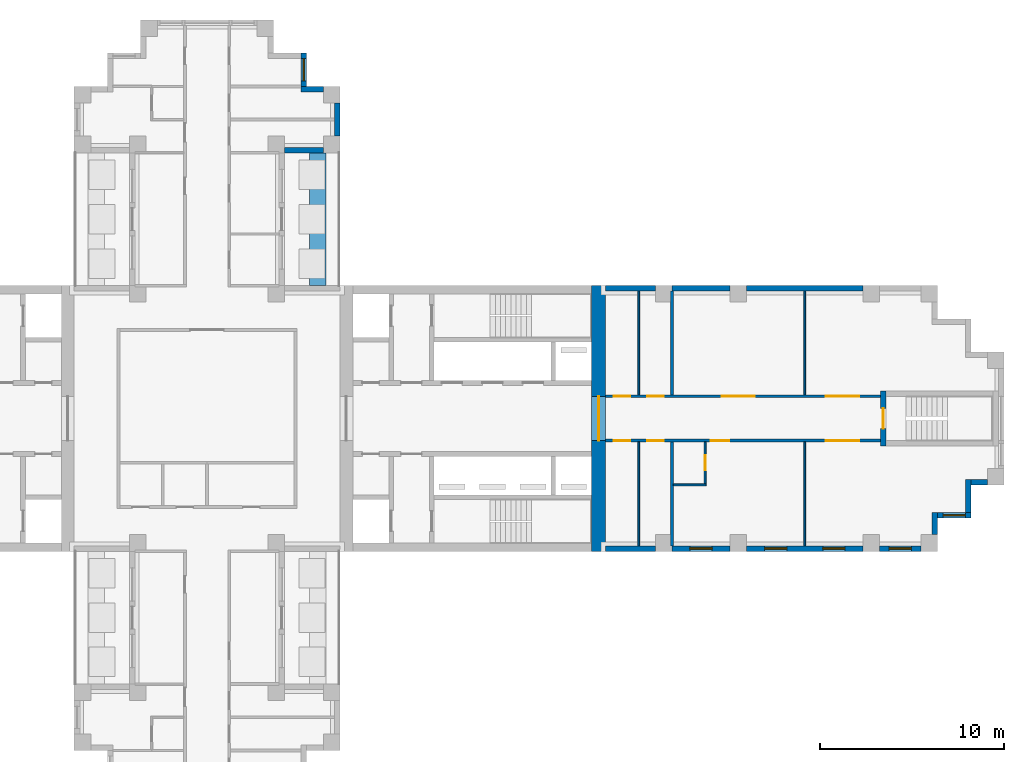
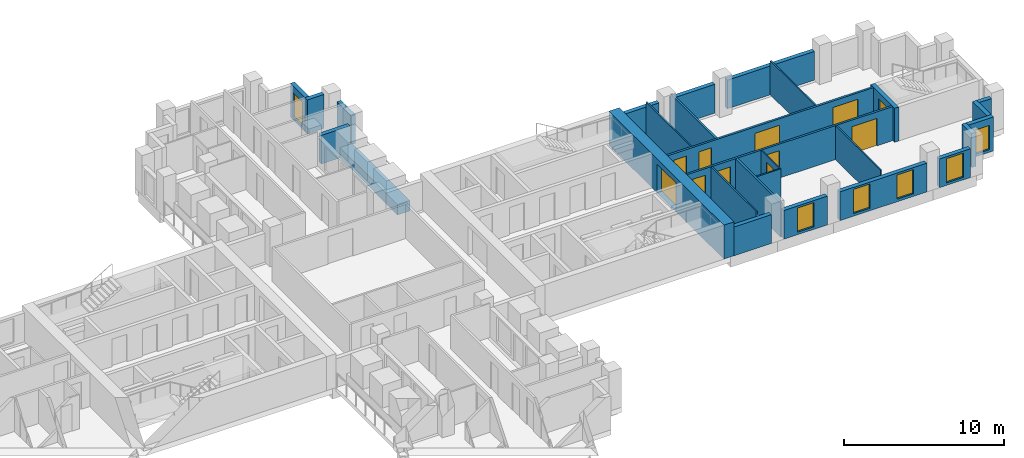
# One storey, part 8 of 11: 28 walls, 11 doors, 6 windows, 17 openings.
"""IFC4 building model written with IfcOpenShell, lengths in metres."""

from ifc_helpers import new_model, si_unit, direction, frame, frame_2d, origin, place, context, subcontext, project, spatial, rectangle, extrude, material, layer, layer_set, type_object, element, fill, save


model = new_model("IFC4")

# Units and contexts
model_context = context("Model", 3, precision=1e-05, world=origin(), true_north=direction((0.0, 1.0)))
body_context = subcontext(model_context, "Body", "Model", "MODEL_VIEW")
ifc_project = project(units=[si_unit("LENGTHUNIT", "METRE"), si_unit("AREAUNIT", "SQUARE_METRE"), si_unit("VOLUMEUNIT", "CUBIC_METRE"), si_unit("PLANEANGLEUNIT", "RADIAN"), si_unit("MASSUNIT", "GRAM", prefix="KILO")], contexts=[model_context])

# Site, building, storey
site_placement = place(None, origin())
site = spatial("IfcSite", under=ifc_project, at=site_placement, CompositionType="ELEMENT")
building_placement = place(site_placement, origin())
building = spatial("IfcBuilding", under=site, at=building_placement, Name="Fustian Cross Tower", CompositionType="ELEMENT")
storey_placement = place(building_placement, frame((0.0, 0.0, 120.300048828125)))
storey = spatial("IfcBuildingStorey", under=building, at=storey_placement, Name="L37", CompositionType="ELEMENT", Elevation=120.300048828125)

# Wall, openings, doors
ifc_material_1 = material(Name="Plasterboard on steel stud", Category="steel")
ifc_layer_1 = layer(ifc_material_1, 0.14990234375)
ifc_layer_set_1 = layer_set([ifc_layer_1], Name="Plasterboard on steel stud")
wall_type_1 = type_object("IfcWallType", Name="COMPARTMENT WALL 150 EI 60", PredefinedType="PARTITIONING", material=ifc_layer_set_1)
wall_1_placement = place(storey_placement, frame((21.60009765625, -1.199951171875, 0.0), z_axis=(0.0, 0.0, 1.0), x_axis=(1.0, 0.0, 0.0)))
wall_1 = element("IfcWall", 1, at=wall_1_placement, inside=storey, type_object=wall_type_1, Name="Partition 49", PredefinedType="PARTITIONING", context=body_context, shape_type="SweptSolid", body=[
    extrude(rectangle(XDim=14.89990234375, YDim=0.14990234375, at=frame_2d((7.449951171875, 0.0))), origin(), (0.0, 0.0, 1.0), 2.599853515625),
])
opening_1_placement = place(wall_1_placement, frame((0.449951171875, 0.0, 0.0)))
opening_1 = element("IfcOpeningElement", 2, at=opening_1_placement, cuts=wall_1, Name="Opening D18009", PredefinedType="OPENING", context=body_context, shape_type="SweptSolid", body=[
    extrude(rectangle(XDim=0.89990234375, YDim=2.10009765625, at=frame_2d((0.449951171875, 1.050048828125))), frame((0.0, 0.0849609375, 0.0), z_axis=(0.0, -1.0, 0.0), x_axis=(1.0, 0.0, 0.0)), (0.0, 0.0, 1.0), 0.169921875),
])
opening_2_placement = place(wall_1_placement, frame((2.25, 0.0, 0.0)))
opening_2 = element("IfcOpeningElement", 3, at=opening_2_placement, cuts=wall_1, Name="Opening D18010", PredefinedType="OPENING", context=body_context, shape_type="SweptSolid", body=[
    extrude(rectangle(XDim=0.89990234375, YDim=2.10009765625, at=frame_2d((0.449951171875, 1.050048828125))), frame((0.0, 0.0849609375, 0.0), z_axis=(0.0, -1.0, 0.0), x_axis=(1.0, 0.0, 0.0)), (0.0, 0.0, 1.0), 0.169921875),
])
opening_3_placement = place(wall_1_placement, frame((5.7099609375, 0.0, 0.0)))
opening_3 = element("IfcOpeningElement", 4, at=opening_3_placement, cuts=wall_1, Name="Opening D18012", PredefinedType="OPENING", context=body_context, shape_type="SweptSolid", body=[
    extrude(rectangle(XDim=1.0, YDim=2.10009765625, at=frame_2d((0.5, 1.050048828125))), frame((0.0, 0.0849609375, 0.0), z_axis=(0.0, -1.0, 0.0), x_axis=(1.0, 0.0, 0.0)), (0.0, 0.0, 1.0), 0.169921875),
])
opening_4_placement = place(wall_1_placement, frame((11.949951171875, 0.0, 0.0)))
opening_4 = element("IfcOpeningElement", 5, at=opening_4_placement, cuts=wall_1, Name="Opening D18013", PredefinedType="OPENING", context=body_context, shape_type="SweptSolid", body=[
    extrude(rectangle(XDim=1.800048828125, YDim=2.10009765625, at=frame_2d((0.89990234375, 1.050048828125))), frame((0.0, 0.0849609375, 0.0), z_axis=(0.0, -1.0, 0.0), x_axis=(1.0, 0.0, 0.0)), (0.0, 0.0, 1.0), 0.169921875),
])
ifc_material_2 = material(Name="Timber fire door set", Category="wood")
door_type_1 = type_object("IfcDoorType", Name="FIRE DOUBLE DOOR 1800 FD30S", OperationType="DOUBLE_DOOR_DOUBLE_SWING", PredefinedType="DOOR", material=ifc_material_2)
door_1_placement = place(opening_4_placement, origin())
door_1 = element("IfcDoor", 6, at=door_1_placement, inside=storey, type_object=door_type_1, Name="Door D18013", OperationType="DOUBLE_DOOR_DOUBLE_SWING", OverallHeight=2.10009765625, OverallWidth=1.800048828125, PredefinedType="DOOR", context=body_context, shape_type="SweptSolid", body=[
    extrude(rectangle(XDim=1.800048828125, YDim=2.10009765625, at=frame_2d((0.89990234375, 1.050048828125))), frame((0.0, 0.02490234375, 0.0), z_axis=(0.0, -1.0, 0.0), x_axis=(1.0, 0.0, 0.0)), (0.0, 0.0, 1.0), 0.050048828125),
])
fill(opening_4, door_1)
ifc_material_3 = material(Name="Timber fire door set", Category="wood")
door_type_2 = type_object("IfcDoorType", Name="FIRE SWING DOOR 1000 FD30S", OperationType="SINGLE_SWING_LEFT", PredefinedType="DOOR", material=ifc_material_3)
door_2_placement = place(opening_3_placement, frame((1.0, 0.0, 0.0), z_axis=(0.0, 0.0, 1.0), x_axis=(-1.0, 0.0, 0.0)))
door_2 = element("IfcDoor", 7, at=door_2_placement, inside=storey, type_object=door_type_2, Name="Door D18012", OperationType="SINGLE_SWING_RIGHT", OverallHeight=2.10009765625, OverallWidth=1.0, PredefinedType="DOOR", context=body_context, shape_type="SweptSolid", body=[
    extrude(rectangle(XDim=1.0, YDim=2.10009765625, at=frame_2d((0.5, 1.050048828125))), frame((0.0, 0.02490234375, 0.0), z_axis=(0.0, -1.0, 0.0), x_axis=(1.0, 0.0, 0.0)), (0.0, 0.0, 1.0), 0.050048828125),
])
fill(opening_3, door_2)
ifc_material_4 = material(Name="Timber fire door set", Category="wood")
door_type_3 = type_object("IfcDoorType", Name="FIRE SWING DOOR 900 FD30S", OperationType="SINGLE_SWING_LEFT", PredefinedType="DOOR", material=ifc_material_4)
door_3_placement = place(opening_1_placement, frame((0.89990234375, 0.0, 0.0), z_axis=(0.0, 0.0, 1.0), x_axis=(-1.0, 0.0, 0.0)))
door_3 = element("IfcDoor", 8, at=door_3_placement, inside=storey, type_object=door_type_3, Name="Door D18009", OperationType="SINGLE_SWING_LEFT", OverallHeight=2.10009765625, OverallWidth=0.89990234375, PredefinedType="DOOR", context=body_context, shape_type="SweptSolid", body=[
    extrude(rectangle(XDim=0.89990234375, YDim=2.10009765625, at=frame_2d((0.449951171875, 1.050048828125))), frame((0.0, 0.02490234375, 0.0), z_axis=(0.0, -1.0, 0.0), x_axis=(1.0, 0.0, 0.0)), (0.0, 0.0, 1.0), 0.050048828125),
])
fill(opening_1, door_3)
door_4_placement = place(opening_2_placement, frame((0.89990234375, 0.0, 0.0), z_axis=(0.0, 0.0, 1.0), x_axis=(-1.0, 0.0, 0.0)))
door_4 = element("IfcDoor", 9, at=door_4_placement, inside=storey, type_object=door_type_3, Name="Door D18010", OperationType="SINGLE_SWING_LEFT", OverallHeight=2.10009765625, OverallWidth=0.89990234375, PredefinedType="DOOR", context=body_context, shape_type="SweptSolid", body=[
    extrude(rectangle(XDim=0.89990234375, YDim=2.10009765625, at=frame_2d((0.449951171875, 1.050048828125))), frame((0.0, 0.02490234375, 0.0), z_axis=(0.0, -1.0, 0.0), x_axis=(1.0, 0.0, 0.0)), (0.0, 0.0, 1.0), 0.050048828125),
])
fill(opening_2, door_4)

wall_2_placement = place(storey_placement, frame((21.60009765625, 1.199951171875, 0.0), z_axis=(0.0, 0.0, 1.0), x_axis=(1.0, 0.0, 0.0)))
wall_2 = element("IfcWall", 10, at=wall_2_placement, inside=storey, type_object=wall_type_1, Name="Partition 50", PredefinedType="PARTITIONING", context=body_context, shape_type="SweptSolid", body=[
    extrude(rectangle(XDim=14.89990234375, YDim=0.14990234375, at=frame_2d((7.449951171875, 0.0))), origin(), (0.0, 0.0, 1.0), 2.599853515625),
])
opening_5_placement = place(wall_2_placement, frame((0.449951171875, 0.0, 0.0)))
opening_5 = element("IfcOpeningElement", 11, at=opening_5_placement, cuts=wall_2, Name="Opening D18005", PredefinedType="OPENING", context=body_context, shape_type="SweptSolid", body=[
    extrude(rectangle(XDim=0.89990234375, YDim=2.10009765625, at=frame_2d((0.449951171875, 1.050048828125))), frame((0.0, 0.0849609375, 0.0), z_axis=(0.0, -1.0, 0.0), x_axis=(1.0, 0.0, 0.0)), (0.0, 0.0, 1.0), 0.169921875),
])
opening_6_placement = place(wall_2_placement, frame((2.25, 0.0, 0.0)))
opening_6 = element("IfcOpeningElement", 12, at=opening_6_placement, cuts=wall_2, Name="Opening D18006", PredefinedType="OPENING", context=body_context, shape_type="SweptSolid", body=[
    extrude(rectangle(XDim=0.89990234375, YDim=2.10009765625, at=frame_2d((0.449951171875, 1.050048828125))), frame((0.0, 0.0849609375, 0.0), z_axis=(0.0, -1.0, 0.0), x_axis=(1.0, 0.0, 0.0)), (0.0, 0.0, 1.0), 0.169921875),
])
opening_7_placement = place(wall_2_placement, frame((6.300048828125, 0.0, 0.0)))
opening_7 = element("IfcOpeningElement", 13, at=opening_7_placement, cuts=wall_2, Name="Opening D18007", PredefinedType="OPENING", context=body_context, shape_type="SweptSolid", body=[
    extrude(rectangle(XDim=1.800048828125, YDim=2.10009765625, at=frame_2d((0.89990234375, 1.050048828125))), frame((0.0, 0.0849609375, 0.0), z_axis=(0.0, -1.0, 0.0), x_axis=(1.0, 0.0, 0.0)), (0.0, 0.0, 1.0), 0.169921875),
])
opening_8_placement = place(wall_2_placement, frame((11.949951171875, 0.0, 0.0)))
opening_8 = element("IfcOpeningElement", 14, at=opening_8_placement, cuts=wall_2, Name="Opening D18008", PredefinedType="OPENING", context=body_context, shape_type="SweptSolid", body=[
    extrude(rectangle(XDim=1.800048828125, YDim=2.10009765625, at=frame_2d((0.89990234375, 1.050048828125))), frame((0.0, 0.0849609375, 0.0), z_axis=(0.0, -1.0, 0.0), x_axis=(1.0, 0.0, 0.0)), (0.0, 0.0, 1.0), 0.169921875),
])
door_5_placement = place(opening_7_placement, frame((1.800048828125, 0.0, 0.0), z_axis=(0.0, 0.0, 1.0), x_axis=(-1.0, 0.0, 0.0)))
door_5 = element("IfcDoor", 15, at=door_5_placement, inside=storey, type_object=door_type_1, Name="Door D18007", OperationType="DOUBLE_DOOR_DOUBLE_SWING", OverallHeight=2.10009765625, OverallWidth=1.800048828125, PredefinedType="DOOR", context=body_context, shape_type="SweptSolid", body=[
    extrude(rectangle(XDim=1.800048828125, YDim=2.10009765625, at=frame_2d((0.89990234375, 1.050048828125))), frame((0.0, 0.02490234375, 0.0), z_axis=(0.0, -1.0, 0.0), x_axis=(1.0, 0.0, 0.0)), (0.0, 0.0, 1.0), 0.050048828125),
])
fill(opening_7, door_5)
door_6_placement = place(opening_8_placement, frame((1.800048828125, 0.0, 0.0), z_axis=(0.0, 0.0, 1.0), x_axis=(-1.0, 0.0, 0.0)))
door_6 = element("IfcDoor", 16, at=door_6_placement, inside=storey, type_object=door_type_1, Name="Door D18008", OperationType="DOUBLE_DOOR_DOUBLE_SWING", OverallHeight=2.10009765625, OverallWidth=1.800048828125, PredefinedType="DOOR", context=body_context, shape_type="SweptSolid", body=[
    extrude(rectangle(XDim=1.800048828125, YDim=2.10009765625, at=frame_2d((0.89990234375, 1.050048828125))), frame((0.0, 0.02490234375, 0.0), z_axis=(0.0, -1.0, 0.0), x_axis=(1.0, 0.0, 0.0)), (0.0, 0.0, 1.0), 0.050048828125),
])
fill(opening_8, door_6)
door_7_placement = place(opening_5_placement, origin())
door_7 = element("IfcDoor", 17, at=door_7_placement, inside=storey, type_object=door_type_3, Name="Door D18005", OperationType="SINGLE_SWING_RIGHT", OverallHeight=2.10009765625, OverallWidth=0.89990234375, PredefinedType="DOOR", context=body_context, shape_type="SweptSolid", body=[
    extrude(rectangle(XDim=0.89990234375, YDim=2.10009765625, at=frame_2d((0.449951171875, 1.050048828125))), frame((0.0, 0.02490234375, 0.0), z_axis=(0.0, -1.0, 0.0), x_axis=(1.0, 0.0, 0.0)), (0.0, 0.0, 1.0), 0.050048828125),
])
fill(opening_5, door_7)
door_8_placement = place(opening_6_placement, origin())
door_8 = element("IfcDoor", 18, at=door_8_placement, inside=storey, type_object=door_type_3, Name="Door D18006", OperationType="SINGLE_SWING_RIGHT", OverallHeight=2.10009765625, OverallWidth=0.89990234375, PredefinedType="DOOR", context=body_context, shape_type="SweptSolid", body=[
    extrude(rectangle(XDim=0.89990234375, YDim=2.10009765625, at=frame_2d((0.449951171875, 1.050048828125))), frame((0.0, 0.02490234375, 0.0), z_axis=(0.0, -1.0, 0.0), x_axis=(1.0, 0.0, 0.0)), (0.0, 0.0, 1.0), 0.050048828125),
])
fill(opening_6, door_8)

# Walls
for number, where, z_axis, x_axis, name in (
    (19, (25.199951171875, -6.89990234375, 0.0), (0.0, 0.0, 1.0), (0.0, 1.0, 0.0), "Partition 53"),
    (20, (25.199951171875, 1.27490234375, 0.0), (0.0, 0.0, 1.0), (0.0, 1.0, 0.0), "Partition 55"),
):
    element("IfcWall", number, at=place(storey_placement, frame(where, z_axis=z_axis, x_axis=x_axis)), inside=storey, type_object=wall_type_1, Name=name, PredefinedType="PARTITIONING", context=body_context, shape_type="SweptSolid", body=[
        extrude(rectangle(XDim=5.625, YDim=0.14990234375, at=frame_2d((2.8125, 0.0))), origin(), (0.0, 0.0, 1.0), 2.599853515625),
    ])

# Wall, opening, door
ifc_material_5 = material(Name="Concrete C60/75", Category="concrete")
ifc_layer_2 = layer(ifc_material_5, 0.75)
ifc_layer_set_2 = layer_set([ifc_layer_2], Name="Concrete C60/75")
wall_type_2 = type_object("IfcWallType", Name="CORE END WALL 750 C60/75", PredefinedType="SHEAR", material=ifc_layer_set_2)
wall_3_placement = place(storey_placement, frame((21.22509765625, -7.199951171875, 0.0), z_axis=(0.0, 0.0, 1.0), x_axis=(0.0, 1.0, 0.0)))
wall_3 = element("IfcWall", 21, at=wall_3_placement, inside=storey, type_object=wall_type_2, Name="Core end wall", PredefinedType="SHEAR", context=body_context, shape_type="SweptSolid", body=[
    extrude(rectangle(XDim=14.39990234375, YDim=0.75, at=frame_2d((7.199951171875, 0.0))), origin(), (0.0, 0.0, 1.0), 2.599853515625),
])
opening_9_placement = place(wall_3_placement, frame((6.0, 0.0, 0.0)))
opening_9 = element("IfcOpeningElement", 22, at=opening_9_placement, cuts=wall_3, Name="Opening CD-15-13", PredefinedType="OPENING", context=body_context, shape_type="SweptSolid", body=[
    extrude(rectangle(XDim=2.39990234375, YDim=2.199951171875, at=frame_2d((1.199951171875, 1.10009765625))), frame((0.0, 0.385009765625, 0.0), z_axis=(0.0, -1.0, 0.0), x_axis=(1.0, 0.0, 0.0)), (0.0, 0.0, 1.0), 0.77001953125),
])
ifc_material_6 = material(Name="Steel", Category="steel")
door_type_4 = type_object("IfcDoorType", Name="FIRE DOOR FD30S DOUBLE 2400X2200", OperationType="DOUBLE_DOOR_DOUBLE_SWING", PredefinedType="DOOR", material=ifc_material_6)
door_9_placement = place(opening_9_placement, origin())
door_9 = element("IfcDoor", 23, at=door_9_placement, inside=storey, type_object=door_type_4, Name="Core door CD-15-13", OperationType="DOUBLE_DOOR_DOUBLE_SWING", OverallHeight=2.199951171875, OverallWidth=2.39990234375, PredefinedType="DOOR", context=body_context, shape_type="SweptSolid", body=[
    extrude(rectangle(XDim=2.39990234375, YDim=2.199951171875, at=frame_2d((1.199951171875, 1.10009765625))), frame((0.0, 0.02490234375, 0.0), z_axis=(0.0, -1.0, 0.0), x_axis=(1.0, 0.0, 0.0)), (0.0, 0.0, 1.0), 0.050048828125),
])
fill(opening_9, door_9)

# Walls
ifc_material_7 = material(Name="Plasterboard on steel stud", Category="steel")
ifc_layer_3 = layer(ifc_material_7, 0.10009765625)
ifc_layer_set_3 = layer_set([ifc_layer_3], Name="Plasterboard on steel stud")
wall_type_3 = type_object("IfcWallType", Name="PARTITION 100 STUD", PredefinedType="PARTITIONING", material=ifc_layer_set_3)
for number, where, z_axis, x_axis, name in (
    (24, (23.39990234375, -6.89990234375, 0.0), (0.0, 0.0, 1.0), (0.0, 1.0, 0.0), "Partition 51"),
    (25, (23.39990234375, 1.27490234375, 0.0), (0.0, 0.0, 1.0), (0.0, 1.0, 0.0), "Partition 52"),
):
    element("IfcWall", number, at=place(storey_placement, frame(where, z_axis=z_axis, x_axis=x_axis)), inside=storey, type_object=wall_type_3, Name=name, PredefinedType="PARTITIONING", context=body_context, shape_type="SweptSolid", body=[
        extrude(rectangle(XDim=5.625, YDim=0.10009765625, at=frame_2d((2.8125, 0.0))), origin(), (0.0, 0.0, 1.0), 2.599853515625),
    ])
wall_4_placement = place(storey_placement, frame((25.27490234375, -3.60009765625, 0.0), z_axis=(0.0, 0.0, 1.0), x_axis=(1.0, 0.0, 0.0)))
element("IfcWall", 26, at=wall_4_placement, inside=storey, type_object=wall_type_3, Name="Partition 54", PredefinedType="PARTITIONING", context=body_context, shape_type="SweptSolid", body=[
    extrude(rectangle(XDim=1.775146484375, YDim=0.10009765625, at=frame_2d((0.8876953125, 0.0))), origin(), (0.0, 0.0, 1.0), 2.599853515625),
])

# Wall, opening, door
wall_5_placement = place(storey_placement, frame((27.0, -3.550048828125, 0.0), z_axis=(0.0, 0.0, 1.0), x_axis=(0.0, 1.0, 0.0)))
wall_5 = element("IfcWall", 27, at=wall_5_placement, inside=storey, type_object=wall_type_3, Name="Partition 56", PredefinedType="PARTITIONING", context=body_context, shape_type="SweptSolid", body=[
    extrude(rectangle(XDim=2.275146484375, YDim=0.10009765625, at=frame_2d((1.1376953125, 0.0))), origin(), (0.0, 0.0, 1.0), 2.599853515625),
])
opening_10_placement = place(wall_5_placement, frame((0.75, 0.0, 0.0)))
opening_10 = element("IfcOpeningElement", 28, at=opening_10_placement, cuts=wall_5, Name="Opening D18011", PredefinedType="OPENING", context=body_context, shape_type="SweptSolid", body=[
    extrude(rectangle(XDim=0.800048828125, YDim=2.10009765625, at=frame_2d((0.39990234375, 1.050048828125))), frame((0.0, 0.06005859375, 0.0), z_axis=(0.0, -1.0, 0.0), x_axis=(1.0, 0.0, 0.0)), (0.0, 0.0, 1.0), 0.1201171875),
])
ifc_material_8 = material(Name="Painted timber", Category="wood")
door_type_5 = type_object("IfcDoorType", Name="SWING DOOR 800", OperationType="SINGLE_SWING_LEFT", PredefinedType="DOOR", material=ifc_material_8)
door_10_placement = place(opening_10_placement, origin())
door_10 = element("IfcDoor", 29, at=door_10_placement, inside=storey, type_object=door_type_5, Name="Door D18011", OperationType="SINGLE_SWING_LEFT", OverallHeight=2.10009765625, OverallWidth=0.800048828125, PredefinedType="DOOR", context=body_context, shape_type="SweptSolid", body=[
    extrude(rectangle(XDim=0.800048828125, YDim=2.10009765625, at=frame_2d((0.39990234375, 1.050048828125))), frame((0.0, 0.02490234375, 0.0), z_axis=(0.0, -1.0, 0.0), x_axis=(1.0, 0.0, 0.0)), (0.0, 0.0, 1.0), 0.050048828125),
])
fill(opening_10, door_10)

# Walls
for number, where, z_axis, x_axis, name in (
    (30, (32.39990234375, -6.89990234375, 0.0), (0.0, 0.0, 1.0), (0.0, 1.0, 0.0), "Partition 57"),
    (31, (32.39990234375, 1.27490234375, 0.0), (0.0, 0.0, 1.0), (0.0, 1.0, 0.0), "Partition 58"),
):
    element("IfcWall", number, at=place(storey_placement, frame(where, z_axis=z_axis, x_axis=x_axis)), inside=storey, type_object=wall_type_3, Name=name, PredefinedType="PARTITIONING", context=body_context, shape_type="SweptSolid", body=[
        extrude(rectangle(XDim=5.625, YDim=0.10009765625, at=frame_2d((2.8125, 0.0))), origin(), (0.0, 0.0, 1.0), 2.599853515625),
    ])
ifc_material_9 = material(Name="Concrete C40/50", Category="concrete")
ifc_layer_4 = layer(ifc_material_9, 0.89990234375)
ifc_layer_set_4 = layer_set([ifc_layer_4], Name="Concrete C40/50")
wall_type_4 = type_object("IfcWallType", Name="PK1 PLANTER 900", PredefinedType="PARAPET", material=ifc_layer_set_4)
wall_6_placement = place(storey_placement, frame((6.0, 7.199951171875, 0.0), z_axis=(0.0, 0.0, 1.0), x_axis=(0.0, 1.0, 0.0)))
element("IfcWall", 32, at=wall_6_placement, inside=storey, type_object=wall_type_4, Name="PLANTER", PredefinedType="PARAPET", context=body_context, shape_type="SweptSolid", body=[
    extrude(rectangle(XDim=7.199951171875, YDim=0.89990234375, at=frame_2d((3.60009765625, 0.0))), origin(), (0.0, 0.0, 1.0), 0.800048828125),
])

# Wall, opening, door
ifc_material_10 = material(Name="Concrete C50/60", Category="concrete")
ifc_layer_5 = layer(ifc_material_10, 0.300048828125)
ifc_layer_set_5 = layer_set([ifc_layer_5], Name="Concrete C50/60")
wall_type_5 = type_object("IfcWallType", Name="STAIR ENCLOSURE WALL 300 C50/60", PredefinedType="SHEAR", material=ifc_layer_set_5)
wall_7_placement = place(storey_placement, frame((36.64990234375, -1.5, 0.0), z_axis=(0.0, 0.0, 1.0), x_axis=(0.0, 1.0, 0.0)))
wall_7 = element("IfcWall", 33, at=wall_7_placement, inside=storey, type_object=wall_type_5, Name="Stair enclosure wall", PredefinedType="SHEAR", context=body_context, shape_type="SweptSolid", body=[
    extrude(rectangle(XDim=3.0, YDim=0.300048828125, at=frame_2d((1.5, 0.0))), origin(), (0.0, 0.0, 1.0), 2.599853515625),
])
opening_11_placement = place(wall_7_placement, frame((0.949951171875, 0.0, 0.0)))
opening_11 = element("IfcOpeningElement", 34, at=opening_11_placement, cuts=wall_7, Name="Opening CD-15-27", PredefinedType="OPENING", context=body_context, shape_type="SweptSolid", body=[
    extrude(rectangle(XDim=1.10009765625, YDim=2.10009765625, at=frame_2d((0.550048828125, 1.050048828125))), frame((0.0, 0.159912109375, 0.0), z_axis=(0.0, -1.0, 0.0), x_axis=(1.0, 0.0, 0.0)), (0.0, 0.0, 1.0), 0.320068359375),
])
ifc_material_11 = material(Name="Steel", Category="steel")
door_type_6 = type_object("IfcDoorType", Name="FIRE DOOR FD60S 1100X2100", OperationType="SINGLE_SWING_LEFT", PredefinedType="DOOR", material=ifc_material_11)
door_11_placement = place(opening_11_placement, frame((1.10009765625, 0.0, 0.0), z_axis=(0.0, 0.0, 1.0), x_axis=(-1.0, 0.0, 0.0)))
door_11 = element("IfcDoor", 35, at=door_11_placement, inside=storey, type_object=door_type_6, Name="Core door CD-15-27", OperationType="SINGLE_SWING_RIGHT", OverallHeight=2.10009765625, OverallWidth=1.10009765625, PredefinedType="DOOR", context=body_context, shape_type="SweptSolid", body=[
    extrude(rectangle(XDim=1.10009765625, YDim=2.10009765625, at=frame_2d((0.550048828125, 1.050048828125))), frame((0.0, 0.02490234375, 0.0), z_axis=(0.0, -1.0, 0.0), x_axis=(1.0, 0.0, 0.0)), (0.0, 0.0, 1.0), 0.050048828125),
])
fill(opening_11, door_11)

# Wall
ifc_material_12 = material(Name="Dark aluminium cladding on insulated backing wall", Category="aluminium")
ifc_layer_6 = layer(ifc_material_12, 0.300048828125)
ifc_layer_set_6 = layer_set([ifc_layer_6], Name="Dark aluminium cladding on insulated backing wall")
wall_type_6 = type_object("IfcWallType", Name="XW1 EXTERNAL WALL 300", PredefinedType="SOLIDWALL", material=ifc_layer_set_6)
wall_8_placement = place(storey_placement, frame((21.60009765625, -7.050048828125, 0.0), z_axis=(0.0, 0.0, 1.0), x_axis=(1.0, 0.0, 0.0)))
element("IfcWall", 36, at=wall_8_placement, inside=storey, type_object=wall_type_6, Name="External wall", PredefinedType="SOLIDWALL", context=body_context, shape_type="SweptSolid", body=[
    extrude(rectangle(XDim=2.699951171875, YDim=0.300048828125, at=frame_2d((1.35009765625, 0.0))), origin(), (0.0, 0.0, 1.0), 2.199951171875),
])

# Wall, opening, window
wall_9_placement = place(storey_placement, frame((25.199951171875, -7.050048828125, 0.0), z_axis=(0.0, 0.0, 1.0), x_axis=(1.0, 0.0, 0.0)))
wall_9 = element("IfcWall", 37, at=wall_9_placement, inside=storey, type_object=wall_type_6, Name="External wall", PredefinedType="SOLIDWALL", context=body_context, shape_type="SweptSolid", body=[
    extrude(rectangle(XDim=3.150146484375, YDim=0.300048828125, at=frame_2d((1.5751953125, 0.0))), origin(), (0.0, 0.0, 1.0), 2.199951171875),
])
opening_12_placement = place(wall_9_placement, frame((0.97509765625, 0.0, 0.199951171875)))
opening_12 = element("IfcOpeningElement", 38, at=opening_12_placement, cuts=wall_9, Name="Opening WN3", PredefinedType="OPENING", context=body_context, shape_type="SweptSolid", body=[
    extrude(rectangle(XDim=1.199951171875, YDim=1.85009765625, at=frame_2d((0.60009765625, 0.925048828125))), frame((0.0, 0.159912109375, 0.0), z_axis=(0.0, -1.0, 0.0), x_axis=(1.0, 0.0, 0.0)), (0.0, 0.0, 1.0), 0.320068359375),
])
ifc_material_13 = material(Name="Dark anodised aluminium and double glazing", Category="aluminium")
window_type = type_object("IfcWindowType", Name="WN3 WINDOW 1200X1850", PartitioningType="SINGLE_PANEL", PredefinedType="WINDOW", material=ifc_material_13)
window_1_placement = place(opening_12_placement, origin())
window_1 = element("IfcWindow", 39, at=window_1_placement, inside=storey, type_object=window_type, Name="Window", OverallHeight=1.85009765625, OverallWidth=1.199951171875, PartitioningType="SINGLE_PANEL", PredefinedType="WINDOW", context=body_context, shape_type="SweptSolid", body=[
    extrude(rectangle(XDim=1.199951171875, YDim=1.85009765625, at=frame_2d((0.60009765625, 0.925048828125))), frame((0.0, 0.030029296875, 0.0), z_axis=(0.0, -1.0, 0.0), x_axis=(1.0, 0.0, 0.0)), (0.0, 0.0, 1.0), 0.06005859375),
])
fill(opening_12, window_1)

# Wall, openings, windows
wall_10_placement = place(storey_placement, frame((29.25, -7.050048828125, 0.0), z_axis=(0.0, 0.0, 1.0), x_axis=(1.0, 0.0, 0.0)))
wall_10 = element("IfcWall", 40, at=wall_10_placement, inside=storey, type_object=wall_type_6, Name="External wall", PredefinedType="SOLIDWALL", context=body_context, shape_type="SweptSolid", body=[
    extrude(rectangle(XDim=6.300048828125, YDim=0.300048828125, at=frame_2d((3.14990234375, 0.0))), origin(), (0.0, 0.0, 1.0), 2.199951171875),
])
opening_13_placement = place(wall_10_placement, frame((0.97509765625, 0.0, 0.199951171875)))
opening_13 = element("IfcOpeningElement", 41, at=opening_13_placement, cuts=wall_10, Name="Opening WN3", PredefinedType="OPENING", context=body_context, shape_type="SweptSolid", body=[
    extrude(rectangle(XDim=1.199951171875, YDim=1.85009765625, at=frame_2d((0.60009765625, 0.925048828125))), frame((0.0, 0.159912109375, 0.0), z_axis=(0.0, -1.0, 0.0), x_axis=(1.0, 0.0, 0.0)), (0.0, 0.0, 1.0), 0.320068359375),
])
opening_14_placement = place(wall_10_placement, frame((4.125, 0.0, 0.199951171875)))
opening_14 = element("IfcOpeningElement", 42, at=opening_14_placement, cuts=wall_10, Name="Opening WN3", PredefinedType="OPENING", context=body_context, shape_type="SweptSolid", body=[
    extrude(rectangle(XDim=1.199951171875, YDim=1.85009765625, at=frame_2d((0.60009765625, 0.925048828125))), frame((0.0, 0.159912109375, 0.0), z_axis=(0.0, -1.0, 0.0), x_axis=(1.0, 0.0, 0.0)), (0.0, 0.0, 1.0), 0.320068359375),
])
window_2_placement = place(opening_13_placement, origin())
window_2 = element("IfcWindow", 43, at=window_2_placement, inside=storey, type_object=window_type, Name="Window", OverallHeight=1.85009765625, OverallWidth=1.199951171875, PartitioningType="SINGLE_PANEL", PredefinedType="WINDOW", context=body_context, shape_type="SweptSolid", body=[
    extrude(rectangle(XDim=1.199951171875, YDim=1.85009765625, at=frame_2d((0.60009765625, 0.925048828125))), frame((0.0, 0.030029296875, 0.0), z_axis=(0.0, -1.0, 0.0), x_axis=(1.0, 0.0, 0.0)), (0.0, 0.0, 1.0), 0.06005859375),
])
fill(opening_13, window_2)
window_3_placement = place(opening_14_placement, origin())
window_3 = element("IfcWindow", 44, at=window_3_placement, inside=storey, type_object=window_type, Name="Window", OverallHeight=1.85009765625, OverallWidth=1.199951171875, PartitioningType="SINGLE_PANEL", PredefinedType="WINDOW", context=body_context, shape_type="SweptSolid", body=[
    extrude(rectangle(XDim=1.199951171875, YDim=1.85009765625, at=frame_2d((0.60009765625, 0.925048828125))), frame((0.0, 0.030029296875, 0.0), z_axis=(0.0, -1.0, 0.0), x_axis=(1.0, 0.0, 0.0)), (0.0, 0.0, 1.0), 0.06005859375),
])
fill(opening_14, window_3)

# Wall, opening, window
wall_11_placement = place(storey_placement, frame((36.449951171875, -7.050048828125, 0.0), z_axis=(0.0, 0.0, 1.0), x_axis=(1.0, 0.0, 0.0)))
wall_11 = element("IfcWall", 45, at=wall_11_placement, inside=storey, type_object=wall_type_6, Name="External wall", PredefinedType="SOLIDWALL", context=body_context, shape_type="SweptSolid", body=[
    extrude(rectangle(XDim=2.25, YDim=0.300048828125, at=frame_2d((1.125, 0.0))), origin(), (0.0, 0.0, 1.0), 2.199951171875),
])
opening_15_placement = place(wall_11_placement, frame((0.52490234375, 0.0, 0.199951171875)))
opening_15 = element("IfcOpeningElement", 46, at=opening_15_placement, cuts=wall_11, Name="Opening WN3", PredefinedType="OPENING", context=body_context, shape_type="SweptSolid", body=[
    extrude(rectangle(XDim=1.199951171875, YDim=1.85009765625, at=frame_2d((0.60009765625, 0.925048828125))), frame((0.0, 0.159912109375, 0.0), z_axis=(0.0, -1.0, 0.0), x_axis=(1.0, 0.0, 0.0)), (0.0, 0.0, 1.0), 0.320068359375),
])
window_4_placement = place(opening_15_placement, origin())
window_4 = element("IfcWindow", 47, at=window_4_placement, inside=storey, type_object=window_type, Name="Window", OverallHeight=1.85009765625, OverallWidth=1.199951171875, PartitioningType="SINGLE_PANEL", PredefinedType="WINDOW", context=body_context, shape_type="SweptSolid", body=[
    extrude(rectangle(XDim=1.199951171875, YDim=1.85009765625, at=frame_2d((0.60009765625, 0.925048828125))), frame((0.0, 0.030029296875, 0.0), z_axis=(0.0, -1.0, 0.0), x_axis=(1.0, 0.0, 0.0)), (0.0, 0.0, 1.0), 0.06005859375),
])
fill(opening_15, window_4)

# Wall
wall_12_placement = place(storey_placement, frame((39.449951171875, -6.300048828125, 0.0), z_axis=(0.0, 0.0, 1.0), x_axis=(0.0, 1.0, 0.0)))
element("IfcWall", 48, at=wall_12_placement, inside=storey, type_object=wall_type_6, Name="External wall", PredefinedType="SOLIDWALL", context=body_context, shape_type="SweptSolid", body=[
    extrude(rectangle(XDim=1.199951171875, YDim=0.300048828125, at=frame_2d((0.60009765625, 0.0))), origin(), (0.0, 0.0, 1.0), 2.599853515625),
])

# Wall, opening, window
wall_13_placement = place(storey_placement, frame((39.60009765625, -5.25, 0.0), z_axis=(0.0, 0.0, 1.0), x_axis=(1.0, 0.0, 0.0)))
wall_13 = element("IfcWall", 49, at=wall_13_placement, inside=storey, type_object=wall_type_6, Name="External wall", PredefinedType="SOLIDWALL", context=body_context, shape_type="SweptSolid", body=[
    extrude(rectangle(XDim=1.7998046875, YDim=0.300048828125, at=frame_2d((0.89990234375, 0.0))), origin(), (0.0, 0.0, 1.0), 2.599853515625),
])
opening_16_placement = place(wall_13_placement, frame((0.300048828125, 0.0, 0.199951171875)))
opening_16 = element("IfcOpeningElement", 50, at=opening_16_placement, cuts=wall_13, Name="Opening WN3", PredefinedType="OPENING", context=body_context, shape_type="SweptSolid", body=[
    extrude(rectangle(XDim=1.199951171875, YDim=1.85009765625, at=frame_2d((0.60009765625, 0.925048828125))), frame((0.0, 0.159912109375, 0.0), z_axis=(0.0, -1.0, 0.0), x_axis=(1.0, 0.0, 0.0)), (0.0, 0.0, 1.0), 0.320068359375),
])
window_5_placement = place(opening_16_placement, origin())
window_5 = element("IfcWindow", 51, at=window_5_placement, inside=storey, type_object=window_type, Name="Window", OverallHeight=1.85009765625, OverallWidth=1.199951171875, PartitioningType="SINGLE_PANEL", PredefinedType="WINDOW", context=body_context, shape_type="SweptSolid", body=[
    extrude(rectangle(XDim=1.199951171875, YDim=1.85009765625, at=frame_2d((0.60009765625, 0.925048828125))), frame((0.0, 0.030029296875, 0.0), z_axis=(0.0, -1.0, 0.0), x_axis=(1.0, 0.0, 0.0)), (0.0, 0.0, 1.0), 0.06005859375),
])
fill(opening_16, window_5)

# Walls
wall_14_placement = place(storey_placement, frame((41.25, -5.10009765625, 0.0), z_axis=(0.0, 0.0, 1.0), x_axis=(0.0, 1.0, 0.0)))
element("IfcWall", 52, at=wall_14_placement, inside=storey, type_object=wall_type_6, Name="External wall", PredefinedType="SOLIDWALL", context=body_context, shape_type="SweptSolid", body=[
    extrude(rectangle(XDim=1.800048828125, YDim=0.300048828125, at=frame_2d((0.89990234375, 0.0))), origin(), (0.0, 0.0, 1.0), 2.599853515625),
])
wall_15_placement = place(storey_placement, frame((41.39990234375, -3.449951171875, 0.0), z_axis=(0.0, 0.0, 1.0), x_axis=(1.0, 0.0, 0.0)))
element("IfcWall", 53, at=wall_15_placement, inside=storey, type_object=wall_type_6, Name="External wall", PredefinedType="SOLIDWALL", context=body_context, shape_type="SweptSolid", body=[
    extrude(rectangle(XDim=0.900146484375, YDim=0.300048828125, at=frame_2d((0.4501953125, 0.0))), origin(), (0.0, 0.0, 1.0), 2.599853515625),
])
wall_16_placement = place(storey_placement, frame((35.550048828125, 7.050048828125, 0.0), z_axis=(0.0, 0.0, 1.0), x_axis=(-1.0, 0.0, 0.0)))
element("IfcWall", 54, at=wall_16_placement, inside=storey, type_object=wall_type_6, Name="External wall", PredefinedType="SOLIDWALL", context=body_context, shape_type="SweptSolid", body=[
    extrude(rectangle(XDim=6.300048828125, YDim=0.300048828125, at=frame_2d((3.14990234375, 0.0))), origin(), (0.0, 0.0, 1.0), 2.199951171875),
])
wall_17_placement = place(storey_placement, frame((28.35009765625, 7.050048828125, 0.0), z_axis=(0.0, 0.0, 1.0), x_axis=(-1.0, 0.0, 0.0)))
element("IfcWall", 55, at=wall_17_placement, inside=storey, type_object=wall_type_6, Name="External wall", PredefinedType="SOLIDWALL", context=body_context, shape_type="SweptSolid", body=[
    extrude(rectangle(XDim=3.150146484375, YDim=0.300048828125, at=frame_2d((1.5751953125, 0.0))), origin(), (0.0, 0.0, 1.0), 2.199951171875),
])
wall_18_placement = place(storey_placement, frame((24.300048828125, 7.050048828125, 0.0), z_axis=(0.0, 0.0, 1.0), x_axis=(-1.0, 0.0, 0.0)))
element("IfcWall", 56, at=wall_18_placement, inside=storey, type_object=wall_type_6, Name="External wall", PredefinedType="SOLIDWALL", context=body_context, shape_type="SweptSolid", body=[
    extrude(rectangle(XDim=2.699951171875, YDim=0.300048828125, at=frame_2d((1.35009765625, 0.0))), origin(), (0.0, 0.0, 1.0), 2.199951171875),
])
wall_19_placement = place(storey_placement, frame((4.199951171875, 14.550048828125, 0.0), z_axis=(0.0, 0.0, 1.0), x_axis=(1.0, 0.0, 0.0)))
element("IfcWall", 57, at=wall_19_placement, inside=storey, type_object=wall_type_6, Name="External wall", PredefinedType="SOLIDWALL", context=body_context, shape_type="SweptSolid", body=[
    extrude(rectangle(XDim=2.10009765625, YDim=0.300048828125, at=frame_2d((1.050048828125, 0.0))), origin(), (0.0, 0.0, 1.0), 2.199951171875),
])
wall_20_placement = place(storey_placement, frame((7.050048828125, 15.300048828125, 0.0), z_axis=(0.0, 0.0, 1.0), x_axis=(0.0, 1.0, 0.0)))
element("IfcWall", 58, at=wall_20_placement, inside=storey, type_object=wall_type_6, Name="External wall", PredefinedType="SOLIDWALL", context=body_context, shape_type="SweptSolid", body=[
    extrude(rectangle(XDim=1.800048828125, YDim=0.300048828125, at=frame_2d((0.89990234375, 0.0))), origin(), (0.0, 0.0, 1.0), 2.199951171875),
])
wall_21_placement = place(storey_placement, frame((6.300048828125, 17.85009765625, 0.0), z_axis=(0.0, 0.0, 1.0), x_axis=(-1.0, 0.0, 0.0)))
element("IfcWall", 59, at=wall_21_placement, inside=storey, type_object=wall_type_6, Name="External wall", PredefinedType="SOLIDWALL", context=body_context, shape_type="SweptSolid", body=[
    extrude(rectangle(XDim=1.199951171875, YDim=0.300048828125, at=frame_2d((0.60009765625, 0.0))), origin(), (0.0, 0.0, 1.0), 2.599853515625),
])

# Wall, opening, window
wall_22_placement = place(storey_placement, frame((5.25, 18.0, 0.0), z_axis=(0.0, 0.0, 1.0), x_axis=(0.0, 1.0, 0.0)))
wall_22 = element("IfcWall", 60, at=wall_22_placement, inside=storey, type_object=wall_type_6, Name="External wall", PredefinedType="SOLIDWALL", context=body_context, shape_type="SweptSolid", body=[
    extrude(rectangle(XDim=1.800048828125, YDim=0.300048828125, at=frame_2d((0.89990234375, 0.0))), origin(), (0.0, 0.0, 1.0), 2.599853515625),
])
opening_17_placement = place(wall_22_placement, frame((0.300048828125, 0.0, 0.199951171875)))
opening_17 = element("IfcOpeningElement", 61, at=opening_17_placement, cuts=wall_22, Name="Opening WN3", PredefinedType="OPENING", context=body_context, shape_type="SweptSolid", body=[
    extrude(rectangle(XDim=1.199951171875, YDim=1.85009765625, at=frame_2d((0.60009765625, 0.925048828125))), frame((0.0, 0.159912109375, 0.0), z_axis=(0.0, -1.0, 0.0), x_axis=(1.0, 0.0, 0.0)), (0.0, 0.0, 1.0), 0.320068359375),
])
window_6_placement = place(opening_17_placement, origin())
window_6 = element("IfcWindow", 62, at=window_6_placement, inside=storey, type_object=window_type, Name="Window", OverallHeight=1.85009765625, OverallWidth=1.199951171875, PartitioningType="SINGLE_PANEL", PredefinedType="WINDOW", context=body_context, shape_type="SweptSolid", body=[
    extrude(rectangle(XDim=1.199951171875, YDim=1.85009765625, at=frame_2d((0.60009765625, 0.925048828125))), frame((0.0, 0.030029296875, 0.0), z_axis=(0.0, -1.0, 0.0), x_axis=(1.0, 0.0, 0.0)), (0.0, 0.0, 1.0), 0.06005859375),
])
fill(opening_17, window_6)

save(model, "model.ifc")
